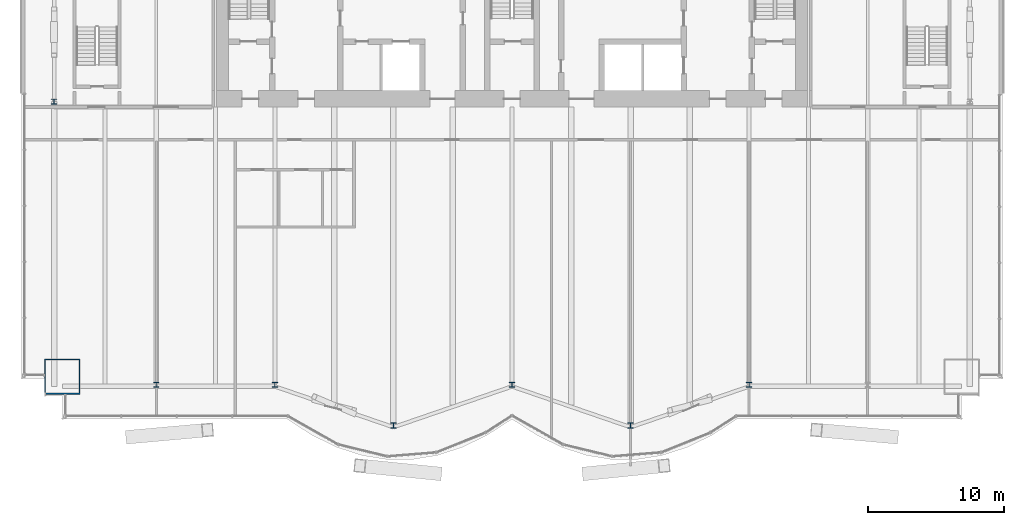
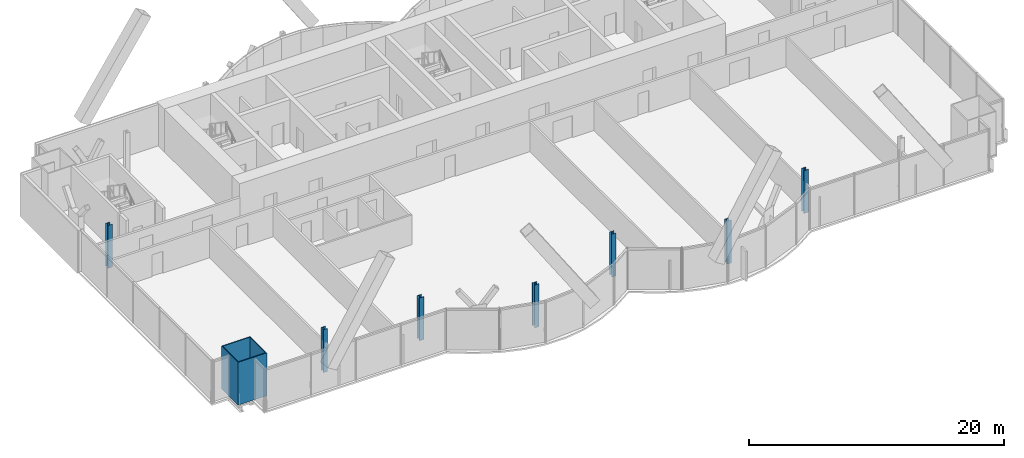
# One storey, part 1 of 22: 8 columns.
"""IFC4 building model written with IfcOpenShell, lengths in metres."""

from ifc_helpers import new_model, si_unit, direction, frame, origin, origin_2d, place, context, subcontext, project, spatial, hollow_rectangle, i_section, extrude, material, material_profile, profile_set, type_object, element, save


model = new_model("IFC4")

# Units and contexts
model_context = context("Model", 3, precision=1e-05, world=origin(), true_north=direction((0.0, 1.0)))
body_context = subcontext(model_context, "Body", "Model", "MODEL_VIEW")
ifc_project = project(units=[si_unit("LENGTHUNIT", "METRE"), si_unit("AREAUNIT", "SQUARE_METRE"), si_unit("VOLUMEUNIT", "CUBIC_METRE"), si_unit("PLANEANGLEUNIT", "RADIAN"), si_unit("MASSUNIT", "GRAM", prefix="KILO")], contexts=[model_context])

# Site, building, storey
site_placement = place(None, origin())
site = spatial("IfcSite", under=ifc_project, at=site_placement, CompositionType="ELEMENT")
building_placement = place(site_placement, origin())
building = spatial("IfcBuilding", under=site, at=building_placement, Name="Bicima Exchange Tower", CompositionType="ELEMENT")
storey_placement = place(building_placement, frame((0.0, 0.0, 144.5)))
storey = spatial("IfcBuildingStorey", under=building, at=storey_placement, Name="L31", CompositionType="ELEMENT", Elevation=144.5)

# Columns
ifc_material_1 = material(Name="Steel ASTM A572 Gr 50", Category="steel")
ifc_material_profile_1 = material_profile(ifc_material_1, hollow_rectangle(XDim=2.60009765625, YDim=2.60009765625, WallThickness=0.080078125, at=origin_2d()))
ifc_profile_set_1 = profile_set([ifc_material_profile_1], Name="Steel ASTM A572 Gr 50")
column_type_1 = type_object("IfcColumnType", Name="Mega column BOX 2600x2600x80", PredefinedType="COLUMN", material=ifc_profile_set_1)
column_placement = place(storey_placement, frame((-33.0, -32.778076171875, 0.0), z_axis=(0.0, 0.0, 1.0), x_axis=(1.0, 0.0, 0.0)))
element("IfcColumn", 1, at=column_placement, inside=storey, type_object=column_type_1, Name="Mega column mega-33.0f", PredefinedType="COLUMN", context=body_context, shape_type="SweptSolid", body=[
    extrude(hollow_rectangle(XDim=2.60009765625, YDim=2.60009765625, WallThickness=0.080078125, at=origin_2d()), origin(), (0.0, 0.0, 1.0), 4.10009765625),
])
ifc_material_2 = material(Name="Steel ASTM A992 Gr 50", Category="steel")
ifc_material_profile_2 = material_profile(ifc_material_2, i_section(OverallWidth=0.396240234375, OverallDepth=0.381103515625, WebThickness=0.01904296875, FlangeThickness=0.0302734375, at=origin_2d()))
ifc_profile_set_2 = profile_set([ifc_material_profile_2], Name="Steel ASTM A992 Gr 50")
column_type_2 = type_object("IfcColumnType", Name="Perimeter column W14x159", PredefinedType="COLUMN", material=ifc_profile_set_2)
for number, where, z_axis, x_axis, name in (
    (2, (-26.10009765625, -33.3779296875, 0.0), (0.0, 0.0, 1.0), (1.0, 0.0, 0.0), "Perimeter column grav-26.1f"),
    (3, (-17.39990234375, -33.3779296875, 0.0), (0.0, 0.0, 1.0), (1.0, 0.0, 0.0), "Perimeter column grav-17.4f"),
    (4, (-8.699951171875, -36.369140625, 0.0), (0.0, 0.0, 1.0), (1.0, 0.0, 0.0), "Perimeter column grav-8.7f"),
    (5, (0.0, -33.3779296875, 0.0), (0.0, 0.0, 1.0), (1.0, 0.0, 0.0), "Perimeter column grav-0.0f"),
    (6, (8.699951171875, -36.369140625, 0.0), (0.0, 0.0, 1.0), (1.0, 0.0, 0.0), "Perimeter column grav+8.7f"),
    (7, (17.39990234375, -33.3779296875, 0.0), (0.0, 0.0, 1.0), (1.0, 0.0, 0.0), "Perimeter column grav+17.4f"),
    (8, (-33.60009765625, -12.60009765625, 0.0), (0.0, 0.0, 1.0), (1.0, 0.0, 0.0), "End column end-33.6e"),
):
    element("IfcColumn", number, at=place(storey_placement, frame(where, z_axis=z_axis, x_axis=x_axis)), inside=storey, type_object=column_type_2, Name=name, PredefinedType="COLUMN", context=body_context, shape_type="SweptSolid", body=[
        extrude(i_section(OverallWidth=0.396240234375, OverallDepth=0.381103515625, WebThickness=0.01904296875, FlangeThickness=0.0302734375, at=origin_2d()), origin(), (0.0, 0.0, 1.0), 4.10009765625),
    ])

save(model, "model.ifc")
